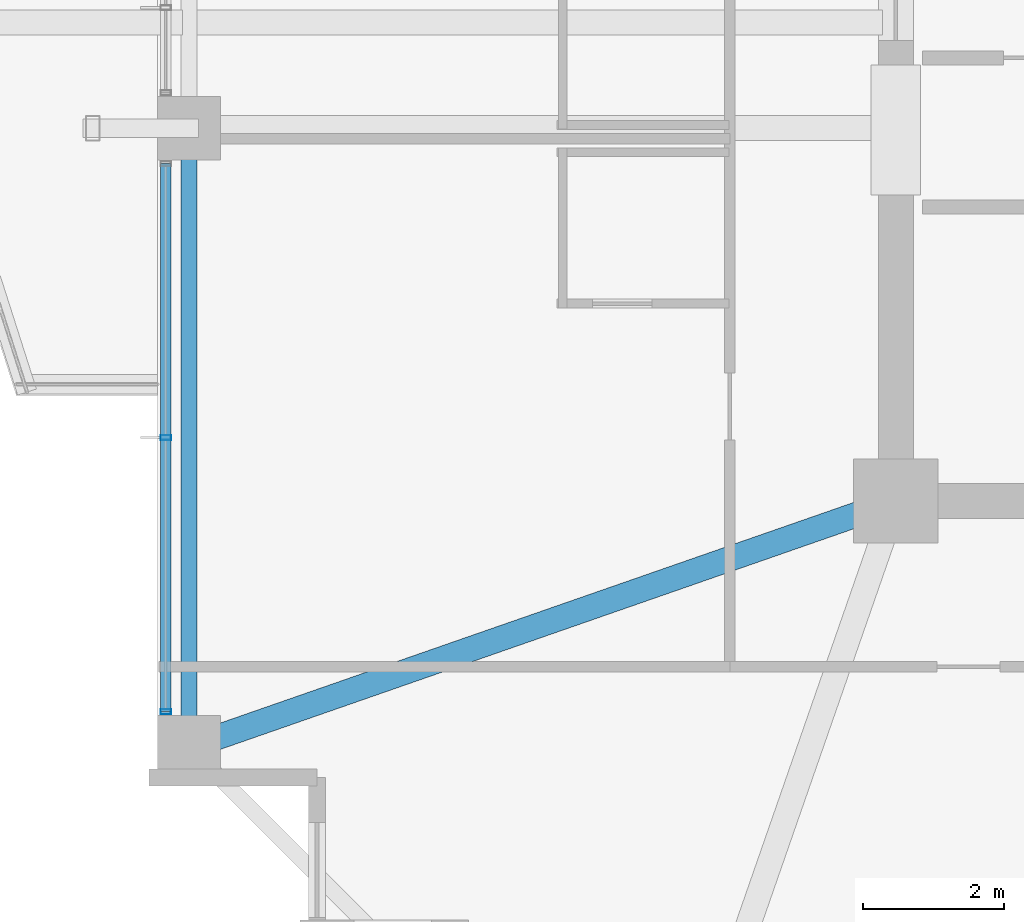
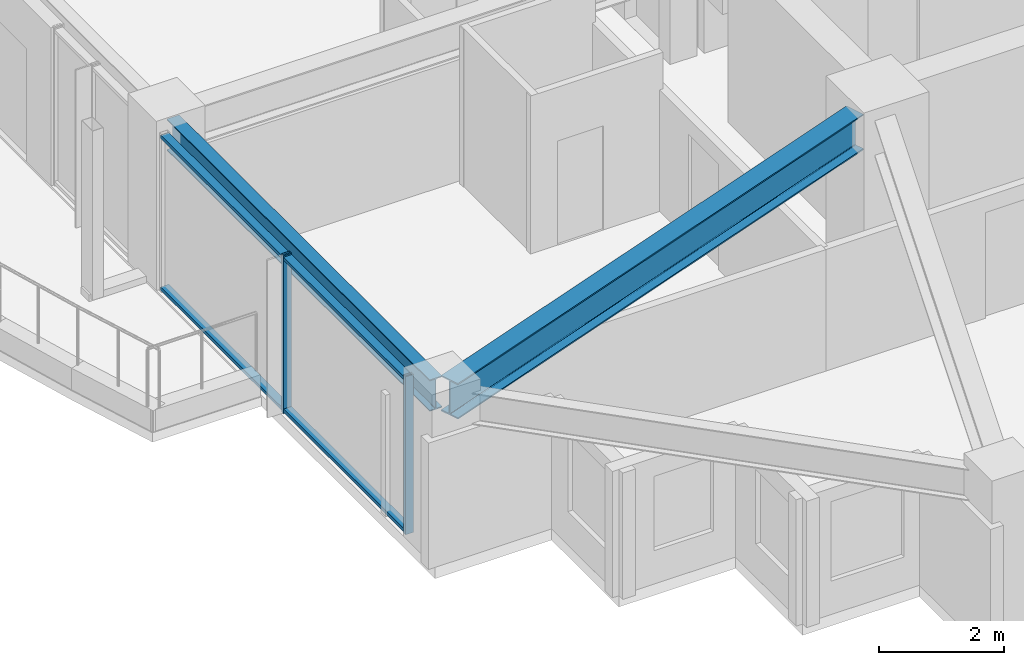
# One storey, part 3 of 35: 4 members, 2 beams, 1 element without a shape of its own.
"""IFC4 building model written with IfcOpenShell, lengths in metres."""

from ifc_helpers import new_model, si_unit, direction, frame, origin, origin_2d, place, context, subcontext, project, spatial, hollow_rectangle, i_section, extrude, material, material_profile, profile_set, type_object, element, aggregate, save


model = new_model("IFC4")

# Units and contexts
model_context = context("Model", 3, precision=1e-05, world=origin(), true_north=direction((0.0, 1.0)))
body_context = subcontext(model_context, "Body", "Model", "MODEL_VIEW")
ifc_project = project(units=[si_unit("LENGTHUNIT", "METRE"), si_unit("AREAUNIT", "SQUARE_METRE"), si_unit("VOLUMEUNIT", "CUBIC_METRE"), si_unit("PLANEANGLEUNIT", "RADIAN"), si_unit("MASSUNIT", "GRAM", prefix="KILO")], contexts=[model_context])

# Site, building, storey
site_placement = place(None, origin())
site = spatial("IfcSite", under=ifc_project, at=site_placement, CompositionType="ELEMENT")
building_placement = place(site_placement, origin())
building = spatial("IfcBuilding", under=site, at=building_placement, Name="Kolvaren Belvedere", CompositionType="ELEMENT")
storey_placement = place(building_placement, frame((0.0, 0.0, 176.699951171875)))
storey = spatial("IfcBuildingStorey", under=building, at=storey_placement, Name="L51", CompositionType="ELEMENT", Elevation=176.699951171875)

# Beams
ifc_material_1 = material(Name="Structural steel ASTM A992 Grade 50", Category="steel")
ifc_material_profile_1 = material_profile(ifc_material_1, i_section(OverallWidth=0.35498046875, OverallDepth=0.696044921875, WebThickness=0.015380859375, FlangeThickness=0.02490234375, FilletRadius=0.02197265625, at=origin_2d()), Name="W27X146")
ifc_profile_set_1 = profile_set([ifc_material_profile_1], Name="Structural steel ASTM A992 Grade 50")
beam_type_1 = type_object("IfcBeamType", Name="BM-GIRD-W27X146", PredefinedType="BEAM", material=ifc_profile_set_1)
beam_1_placement = place(storey_placement, frame((-10.41943359375, -10.080810546875, 2.73193359375), z_axis=(-0.944366798861, -0.328894130701, 0.0), x_axis=(0.328894130701, -0.944366798861, 0.0)))
element("IfcBeam", 1, at=beam_1_placement, inside=storey, type_object=beam_type_1, Name="L51 Corner Core-to-Perimeter Girder CC1-W1", PredefinedType="BEAM", context=body_context, shape_type="SweptSolid", body=[
    extrude(i_section(OverallWidth=0.35498046875, OverallDepth=0.696044921875, WebThickness=0.015380859375, FlangeThickness=0.02490234375, FilletRadius=0.02197265625, at=origin_2d()), origin(), (0.0, 0.0, 1.0), 9.912109375),
])
ifc_material_2 = material(Name="Structural steel ASTM A992 Grade 50", Category="steel")
ifc_material_profile_2 = material_profile(ifc_material_2, i_section(OverallWidth=0.22900390625, OverallDepth=0.612060546875, WebThickness=0.011962890625, FlangeThickness=0.01953125, FilletRadius=0.01806640625, at=origin_2d()), Name="W24X84")
ifc_profile_set_2 = profile_set([ifc_material_profile_2], Name="Structural steel ASTM A992 Grade 50")
beam_type_2 = type_object("IfcBeamType", Name="BM-SPAN-W24X84", PredefinedType="SPANDREL", material=ifc_profile_set_2)
beam_2_placement = place(storey_placement, frame((-19.949951171875, -4.802490234375, 2.774169921875), z_axis=(0.0, -1.0, 0.0), x_axis=(1.0, 0.0, 0.0)))
element("IfcBeam", 2, at=beam_2_placement, inside=storey, type_object=beam_type_2, Name="L51 Perimeter Spandrel W2-W1", PredefinedType="SPANDREL", context=body_context, shape_type="SweptSolid", body=[
    extrude(i_section(OverallWidth=0.22900390625, OverallDepth=0.612060546875, WebThickness=0.011962890625, FlangeThickness=0.01953125, FilletRadius=0.01806640625, at=origin_2d()), origin(), (0.0, 0.0, 1.0), 8.39501953125),
])

# Curtain wall, members
ifc_material_3 = material(Name="Anodised pale-metal aluminium AA 6063-T6", Category="aluminium")
curtain_wall_type = type_object("IfcCurtainWallType", Name="CW-Z5-HIGH", PredefinedType="NOTDEFINED", material=ifc_material_3)
curtain_wall_placement = place(storey_placement, origin())
curtain_wall = element("IfcCurtainWall", 3, at=curtain_wall_placement, inside=storey, type_object=curtain_wall_type, Name="L51 Unitised Curtain Wall FCW-L51-W1-B1", PredefinedType="NOTDEFINED")
ifc_material_4 = material(Name="Anodised pale-metal aluminium AA 6063-T6", Category="aluminium")
ifc_material_profile_3 = material_profile(ifc_material_4, hollow_rectangle(XDim=0.070068359375, YDim=0.14990234375, WallThickness=0.004150390625, at=origin_2d()), Name="ALU-MUL-150X70")
ifc_profile_set_3 = profile_set([ifc_material_profile_3], Name="Anodised pale-metal aluminium AA 6063-T6")
member_type_1 = type_object("IfcMemberType", Name="CW-MUL-150", PredefinedType="MULLION", material=ifc_profile_set_3)
member_1_placement = place(storey_placement, frame((-20.280029296875, -12.89501953125, 0.0), z_axis=(0.0, 0.0, 1.0), x_axis=(0.0, 1.0, 0.0)))
member_1 = element("IfcMember", 4, at=member_1_placement, type_object=member_type_1, Name="FCW-L51-W1-B1 Unitised Mullion 1", PredefinedType="MULLION", context=body_context, shape_type="SweptSolid", body=[
    extrude(hollow_rectangle(XDim=0.070068359375, YDim=0.14990234375, WallThickness=0.004150390625, at=origin_2d()), origin(), (0.0, 0.0, 1.0), 3.080078125),
])
member_2_placement = place(storey_placement, frame((-20.280029296875, -9.0, 0.0), z_axis=(0.0, 0.0, 1.0), x_axis=(0.0, 1.0, 0.0)))
member_2 = element("IfcMember", 5, at=member_2_placement, type_object=member_type_1, Name="FCW-L51-W1-B1 Unitised Mullion 2", PredefinedType="MULLION", context=body_context, shape_type="SweptSolid", body=[
    extrude(hollow_rectangle(XDim=0.070068359375, YDim=0.14990234375, WallThickness=0.004150390625, at=origin_2d()), origin(), (0.0, 0.0, 1.0), 3.080078125),
])
ifc_material_5 = material(Name="Anodised pale-metal aluminium AA 6063-T6", Category="aluminium")
ifc_material_profile_4 = material_profile(ifc_material_5, hollow_rectangle(XDim=0.06494140625, YDim=0.14990234375, WallThickness=0.00390625, at=origin_2d()), Name="ALU-TRN-150X65")
ifc_profile_set_4 = profile_set([ifc_material_profile_4], Name="Anodised pale-metal aluminium AA 6063-T6")
member_type_2 = type_object("IfcMemberType", Name="CW-TRN-150", PredefinedType="USERDEFINED", material=ifc_profile_set_4)
member_3_placement = place(storey_placement, frame((-20.280029296875, -12.89501953125, 0.06005859375), z_axis=(0.0, 1.0, 0.0), x_axis=(0.0, 0.0, 1.0)))
member_3 = element("IfcMember", 6, at=member_3_placement, type_object=member_type_2, Name="FCW-L51-W1-B1 Sill Transom", ObjectType="TRANSOM", PredefinedType="USERDEFINED", context=body_context, shape_type="SweptSolid", body=[
    extrude(hollow_rectangle(XDim=0.06494140625, YDim=0.14990234375, WallThickness=0.00390625, at=origin_2d()), origin(), (0.0, 0.0, 1.0), 7.7900390625),
])
member_4_placement = place(storey_placement, frame((-20.280029296875, -12.89501953125, 3.02001953125), z_axis=(0.0, 1.0, 0.0), x_axis=(0.0, 0.0, 1.0)))
member_4 = element("IfcMember", 7, at=member_4_placement, type_object=member_type_2, Name="FCW-L51-W1-B1 Head Transom", ObjectType="TRANSOM", PredefinedType="USERDEFINED", context=body_context, shape_type="SweptSolid", body=[
    extrude(hollow_rectangle(XDim=0.06494140625, YDim=0.14990234375, WallThickness=0.00390625, at=origin_2d()), origin(), (0.0, 0.0, 1.0), 7.7900390625),
])
aggregate(curtain_wall, [member_1, member_2, member_3, member_4])

save(model, "model.ifc")
